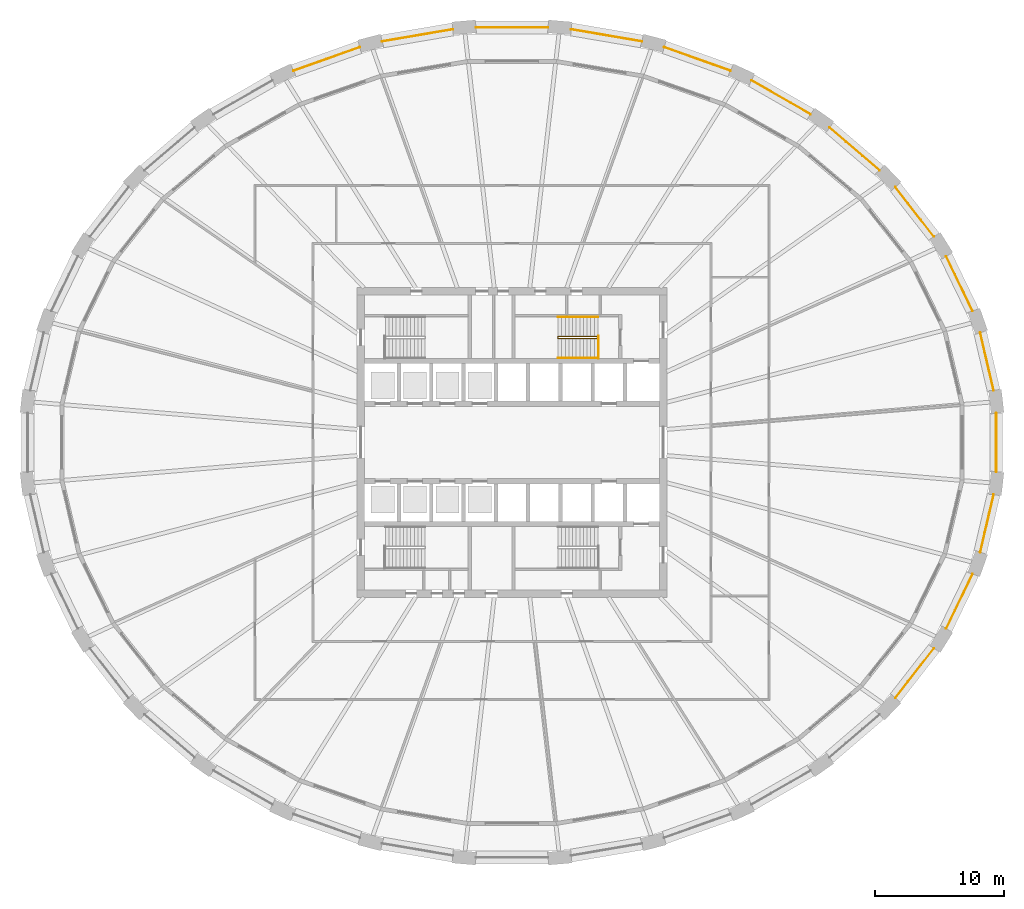
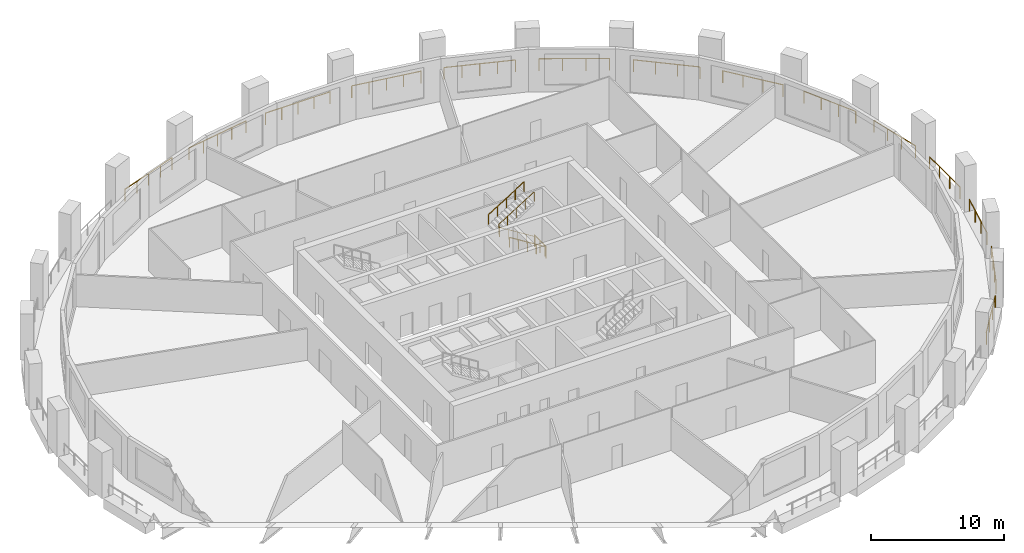
# One storey, part 10 of 11: 18 railings.
"""IFC4 building model written with IfcOpenShell, lengths in metres."""

from ifc_helpers import new_model, si_unit, direction, frame, origin, origin_2d, place, context, subcontext, project, spatial, circle, extrude, material, type_object, element, save


model = new_model("IFC4")

# Units and contexts
model_context = context("Model", 3, precision=1e-05, world=origin(), true_north=direction((0.0, 1.0)))
body_context = subcontext(model_context, "Body", "Model", "MODEL_VIEW")
ifc_project = project(units=[si_unit("LENGTHUNIT", "METRE"), si_unit("AREAUNIT", "SQUARE_METRE"), si_unit("VOLUMEUNIT", "CUBIC_METRE"), si_unit("PLANEANGLEUNIT", "RADIAN"), si_unit("MASSUNIT", "GRAM", prefix="KILO")], contexts=[model_context])

# Site, building, storey
site_placement = place(None, origin())
site = spatial("IfcSite", under=ifc_project, at=site_placement, CompositionType="ELEMENT")
building_placement = place(site_placement, origin())
building = spatial("IfcBuilding", under=site, at=building_placement, Name="Halqa Exchange Tower", CompositionType="ELEMENT")
storey_placement = place(building_placement, frame((0.0, 0.0, 40.300048828125)))
storey = spatial("IfcBuildingStorey", under=building, at=storey_placement, Name="L08", CompositionType="ELEMENT", Elevation=40.300048828125)

# Railings
ifc_material = material(Name="Stainless steel", Category="steel")
railing_type_1 = type_object("IfcRailingType", Name="Guard 1100 stainless steel", PredefinedType="GUARDRAIL", material=ifc_material)
railing_1_placement = place(storey_placement, frame((37.273193359375, 4.04052734375, 0.0)))
element("IfcRailing", 1, at=railing_1_placement, inside=storey, type_object=railing_type_1, Name="Loggia guard 1", PredefinedType="GUARDRAIL", context=body_context, shape_type="SweptSolid", body=[
    extrude(circle(Radius=0.02392578125, at=origin_2d()), frame((0.0, 0.0, 1.076171875), z_axis=(-0.226088077244, 0.974106863403, 0.0), x_axis=(-0.974106863403, -0.226088077244, 0.0)), (0.0, 0.0, 1.0), 4.571044921875),
    extrude(circle(Radius=0.02099609375, at=origin_2d()), origin(), (0.0, 0.0, 1.0), 1.052001953125),
    extrude(circle(Radius=0.02099609375, at=origin_2d()), frame((-0.344482421875, 1.484130859375, 0.0)), (0.0, 0.0, 1.0), 1.052001953125),
    extrude(circle(Radius=0.02099609375, at=origin_2d()), frame((-0.68896484375, 2.968505859375, 0.0)), (0.0, 0.0, 1.0), 1.052001953125),
    extrude(circle(Radius=0.02099609375, at=origin_2d()), frame((-1.033447265625, 4.45263671875, 0.0)), (0.0, 0.0, 1.0), 1.052001953125),
])
railing_2_placement = place(storey_placement, frame((35.644775390625, 10.18017578125, 0.0)))
element("IfcRailing", 2, at=railing_2_placement, inside=storey, type_object=railing_type_1, Name="Loggia guard 2", PredefinedType="GUARDRAIL", context=body_context, shape_type="SweptSolid", body=[
    extrude(circle(Radius=0.02392578125, at=origin_2d()), frame((0.0, 0.0, 1.076171875), z_axis=(-0.435124379728, 0.900370353891, 0.0), x_axis=(-0.900370353891, -0.435124379728, 0.0)), (0.0, 0.0, 1.0), 4.69287109375),
    extrude(circle(Radius=0.02099609375, at=origin_2d()), origin(), (0.0, 0.0, 1.0), 1.052001953125),
    extrude(circle(Radius=0.02099609375, at=origin_2d()), frame((-0.6806640625, 1.408447265625, 0.0)), (0.0, 0.0, 1.0), 1.052001953125),
    extrude(circle(Radius=0.02099609375, at=origin_2d()), frame((-1.361328125, 2.81689453125, 0.0)), (0.0, 0.0, 1.0), 1.052001953125),
    extrude(circle(Radius=0.02099609375, at=origin_2d()), frame((-2.0419921875, 4.225341796875, 0.0)), (0.0, 0.0, 1.0), 1.052001953125),
])
railing_3_placement = place(storey_placement, frame((32.657958984375, 15.925537109375, 0.0)))
element("IfcRailing", 3, at=railing_3_placement, inside=storey, type_object=railing_type_1, Name="Loggia guard 3", PredefinedType="GUARDRAIL", context=body_context, shape_type="SweptSolid", body=[
    extrude(circle(Radius=0.02392578125, at=origin_2d()), frame((0.0, 0.0, 1.076171875), z_axis=(-0.614779979903, 0.788698660016, 0.0), x_axis=(-0.788698660016, -0.614779979903, 0.0)), (0.0, 0.0, 1.0), 4.87109375),
    extrude(circle(Radius=0.02099609375, at=origin_2d()), origin(), (0.0, 0.0, 1.0), 1.052001953125),
    extrude(circle(Radius=0.02099609375, at=origin_2d()), frame((-0.998291015625, 1.280517578125, 0.0)), (0.0, 0.0, 1.0), 1.052001953125),
    extrude(circle(Radius=0.02099609375, at=origin_2d()), frame((-1.996337890625, 2.561279296875, 0.0)), (0.0, 0.0, 1.0), 1.052001953125),
    extrude(circle(Radius=0.02099609375, at=origin_2d()), frame((-2.99462890625, 3.841796875, 0.0)), (0.0, 0.0, 1.0), 1.052001953125),
])
railing_4_placement = place(storey_placement, frame((28.4267578125, 21.062744140625, 0.0)))
element("IfcRailing", 4, at=railing_4_placement, inside=storey, type_object=railing_type_1, Name="Loggia guard 4", PredefinedType="GUARDRAIL", context=body_context, shape_type="SweptSolid", body=[
    extrude(circle(Radius=0.02392578125, at=origin_2d()), frame((0.0, 0.0, 1.076171875), z_axis=(-0.759259997871, 0.650787412012, 0.0), x_axis=(-0.650787412012, -0.759259997871, 0.0)), (0.0, 0.0, 1.0), 5.075439453125),
    extrude(circle(Radius=0.02099609375, at=origin_2d()), origin(), (0.0, 0.0, 1.0), 1.052001953125),
    extrude(circle(Radius=0.02099609375, at=origin_2d()), frame((-1.284423828125, 1.10107421875, 0.0)), (0.0, 0.0, 1.0), 1.052001953125),
    extrude(circle(Radius=0.02099609375, at=origin_2d()), frame((-2.569091796875, 2.201904296875, 0.0)), (0.0, 0.0, 1.0), 1.052001953125),
    extrude(circle(Radius=0.02099609375, at=origin_2d()), frame((-3.853515625, 3.302978515625, 0.0)), (0.0, 0.0, 1.0), 1.052001953125),
])
railing_5_placement = place(storey_placement, frame((23.10888671875, 25.398681640625, 0.0)))
element("IfcRailing", 5, at=railing_5_placement, inside=storey, type_object=railing_type_1, Name="Loggia guard 5", PredefinedType="GUARDRAIL", context=body_context, shape_type="SweptSolid", body=[
    extrude(circle(Radius=0.02392578125, at=origin_2d()), frame((0.0, 0.0, 1.076171875), z_axis=(-0.867761260973, 0.496981281292, 0.0), x_axis=(-0.496981281292, -0.867761260973, 0.0)), (0.0, 0.0, 1.0), 5.2734375),
    extrude(circle(Radius=0.02099609375, at=origin_2d()), origin(), (0.0, 0.0, 1.0), 1.052001953125),
    extrude(circle(Radius=0.02099609375, at=origin_2d()), frame((-1.525390625, 0.87353515625, 0.0)), (0.0, 0.0, 1.0), 1.052001953125),
    extrude(circle(Radius=0.02099609375, at=origin_2d()), frame((-3.05078125, 1.747314453125, 0.0)), (0.0, 0.0, 1.0), 1.052001953125),
    extrude(circle(Radius=0.02099609375, at=origin_2d()), frame((-4.576171875, 2.620849609375, 0.0)), (0.0, 0.0, 1.0), 1.052001953125),
])
railing_6_placement = place(storey_placement, frame((16.90380859375, 28.767822265625, 0.0)))
element("IfcRailing", 6, at=railing_6_placement, inside=storey, type_object=railing_type_1, Name="Loggia guard 6", PredefinedType="GUARDRAIL", context=body_context, shape_type="SweptSolid", body=[
    extrude(circle(Radius=0.02392578125, at=origin_2d()), frame((0.0, 0.0, 1.076171875), z_axis=(-0.942367022026, 0.334580925634, 0.0), x_axis=(-0.334580925634, -0.942367022026, 0.0)), (0.0, 0.0, 1.0), 5.437744140625),
    extrude(circle(Radius=0.02099609375, at=origin_2d()), origin(), (0.0, 0.0, 1.0), 1.052001953125),
    extrude(circle(Radius=0.02099609375, at=origin_2d()), frame((-1.281005859375, 0.454833984375, 0.0)), (0.0, 0.0, 1.0), 1.052001953125),
    extrude(circle(Radius=0.02099609375, at=origin_2d()), frame((-2.56201171875, 0.90966796875, 0.0)), (0.0, 0.0, 1.0), 1.052001953125),
    extrude(circle(Radius=0.02099609375, at=origin_2d()), frame((-3.84326171875, 1.364501953125, 0.0)), (0.0, 0.0, 1.0), 1.052001953125),
    extrude(circle(Radius=0.02099609375, at=origin_2d()), frame((-5.124267578125, 1.8193359375, 0.0)), (0.0, 0.0, 1.0), 1.052001953125),
])
railing_7_placement = place(storey_placement, frame((10.044189453125, 31.03955078125, 0.0)))
element("IfcRailing", 7, at=railing_7_placement, inside=storey, type_object=railing_type_1, Name="Loggia guard 7", PredefinedType="GUARDRAIL", context=body_context, shape_type="SweptSolid", body=[
    extrude(circle(Radius=0.02392578125, at=origin_2d()), frame((0.0, 0.0, 1.076171875), z_axis=(-0.985775416456, 0.168067927667, 0.0), x_axis=(-0.168067927667, -0.985775416456, 0.0)), (0.0, 0.0, 1.0), 5.544677734375),
    extrude(circle(Radius=0.02099609375, at=origin_2d()), origin(), (0.0, 0.0, 1.0), 1.052001953125),
    extrude(circle(Radius=0.02099609375, at=origin_2d()), frame((-1.366455078125, 0.23291015625, 0.0)), (0.0, 0.0, 1.0), 1.052001953125),
    extrude(circle(Radius=0.02099609375, at=origin_2d()), frame((-2.73291015625, 0.4658203125, 0.0)), (0.0, 0.0, 1.0), 1.052001953125),
    extrude(circle(Radius=0.02099609375, at=origin_2d()), frame((-4.099365234375, 0.698974609375, 0.0)), (0.0, 0.0, 1.0), 1.052001953125),
    extrude(circle(Radius=0.02099609375, at=origin_2d()), frame((-5.4658203125, 0.931884765625, 0.0)), (0.0, 0.0, 1.0), 1.052001953125),
])
railing_8_placement = place(storey_placement, frame((2.791015625, 32.122802734375, 0.0)))
element("IfcRailing", 8, at=railing_8_placement, inside=storey, type_object=railing_type_1, Name="Loggia guard 8", PredefinedType="GUARDRAIL", context=body_context, shape_type="SweptSolid", body=[
    extrude(circle(Radius=0.02392578125, at=origin_2d()), frame((0.0, 0.0, 1.076171875), z_axis=(-1.0, 0.0, 0.0), x_axis=(0.0, -1.0, 0.0)), (0.0, 0.0, 1.0), 5.58203125),
    extrude(circle(Radius=0.02099609375, at=origin_2d()), origin(), (0.0, 0.0, 1.0), 1.052001953125),
    extrude(circle(Radius=0.02099609375, at=origin_2d()), frame((-1.3955078125, 0.0, 0.0)), (0.0, 0.0, 1.0), 1.052001953125),
    extrude(circle(Radius=0.02099609375, at=origin_2d()), frame((-2.791015625, 0.0, 0.0)), (0.0, 0.0, 1.0), 1.052001953125),
    extrude(circle(Radius=0.02099609375, at=origin_2d()), frame((-4.1865234375, 0.0, 0.0)), (0.0, 0.0, 1.0), 1.052001953125),
    extrude(circle(Radius=0.02099609375, at=origin_2d()), frame((-5.58203125, 0.0, 0.0)), (0.0, 0.0, 1.0), 1.052001953125),
])
railing_9_placement = place(storey_placement, frame((-4.578369140625, 31.971435546875, 0.0)))
element("IfcRailing", 9, at=railing_9_placement, inside=storey, type_object=railing_type_1, Name="Loggia guard 9", PredefinedType="GUARDRAIL", context=body_context, shape_type="SweptSolid", body=[
    extrude(circle(Radius=0.02392578125, at=origin_2d()), frame((0.0, 0.0, 1.076171875), z_axis=(-0.985775416456, -0.168067927667, 0.0), x_axis=(0.168067927667, -0.985775416456, 0.0)), (0.0, 0.0, 1.0), 5.544677734375),
    extrude(circle(Radius=0.02099609375, at=origin_2d()), origin(), (0.0, 0.0, 1.0), 1.052001953125),
    extrude(circle(Radius=0.02099609375, at=origin_2d()), frame((-1.366455078125, -0.23291015625, 0.0)), (0.0, 0.0, 1.0), 1.052001953125),
    extrude(circle(Radius=0.02099609375, at=origin_2d()), frame((-2.73291015625, -0.4658203125, 0.0)), (0.0, 0.0, 1.0), 1.052001953125),
    extrude(circle(Radius=0.02099609375, at=origin_2d()), frame((-4.099365234375, -0.698974609375, 0.0)), (0.0, 0.0, 1.0), 1.052001953125),
    extrude(circle(Radius=0.02099609375, at=origin_2d()), frame((-5.4658203125, -0.931884765625, 0.0)), (0.0, 0.0, 1.0), 1.052001953125),
])
railing_10_placement = place(storey_placement, frame((-11.779541015625, 30.587158203125, 0.0)))
element("IfcRailing", 10, at=railing_10_placement, inside=storey, type_object=railing_type_1, Name="Loggia guard 10", PredefinedType="GUARDRAIL", context=body_context, shape_type="SweptSolid", body=[
    extrude(circle(Radius=0.02392578125, at=origin_2d()), frame((0.0, 0.0, 1.076171875), z_axis=(-0.942367022026, -0.334580925634, 0.0), x_axis=(0.334580925634, -0.942367022026, 0.0)), (0.0, 0.0, 1.0), 5.437744140625),
    extrude(circle(Radius=0.02099609375, at=origin_2d()), origin(), (0.0, 0.0, 1.0), 1.052001953125),
    extrude(circle(Radius=0.02099609375, at=origin_2d()), frame((-1.281005859375, -0.454833984375, 0.0)), (0.0, 0.0, 1.0), 1.052001953125),
    extrude(circle(Radius=0.02099609375, at=origin_2d()), frame((-2.56201171875, -0.90966796875, 0.0)), (0.0, 0.0, 1.0), 1.052001953125),
    extrude(circle(Radius=0.02099609375, at=origin_2d()), frame((-3.84326171875, -1.364501953125, 0.0)), (0.0, 0.0, 1.0), 1.052001953125),
    extrude(circle(Radius=0.02099609375, at=origin_2d()), frame((-5.124267578125, -1.8193359375, 0.0)), (0.0, 0.0, 1.0), 1.052001953125),
])
railing_11_placement = place(storey_placement, frame((29.663330078125, -19.767333984375, 0.0)))
element("IfcRailing", 11, at=railing_11_placement, inside=storey, type_object=railing_type_1, Name="Loggia guard 29", PredefinedType="GUARDRAIL", context=body_context, shape_type="SweptSolid", body=[
    extrude(circle(Radius=0.02392578125, at=origin_2d()), frame((0.0, 0.0, 1.076171875), z_axis=(0.614779979903, 0.788698660016, 0.0), x_axis=(-0.788698660016, 0.614779979903, 0.0)), (0.0, 0.0, 1.0), 4.87109375),
    extrude(circle(Radius=0.02099609375, at=origin_2d()), origin(), (0.0, 0.0, 1.0), 1.052001953125),
    extrude(circle(Radius=0.02099609375, at=origin_2d()), frame((0.998291015625, 1.280517578125, 0.0)), (0.0, 0.0, 1.0), 1.052001953125),
    extrude(circle(Radius=0.02099609375, at=origin_2d()), frame((1.996337890625, 2.561279296875, 0.0)), (0.0, 0.0, 1.0), 1.052001953125),
    extrude(circle(Radius=0.02099609375, at=origin_2d()), frame((2.99462890625, 3.841796875, 0.0)), (0.0, 0.0, 1.0), 1.052001953125),
])
railing_12_placement = place(storey_placement, frame((33.602783203125, -14.405517578125, 0.0)))
element("IfcRailing", 12, at=railing_12_placement, inside=storey, type_object=railing_type_1, Name="Loggia guard 30", PredefinedType="GUARDRAIL", context=body_context, shape_type="SweptSolid", body=[
    extrude(circle(Radius=0.02392578125, at=origin_2d()), frame((0.0, 0.0, 1.076171875), z_axis=(0.435124379728, 0.900370353891, 0.0), x_axis=(-0.900370353891, 0.435124379728, 0.0)), (0.0, 0.0, 1.0), 4.69287109375),
    extrude(circle(Radius=0.02099609375, at=origin_2d()), origin(), (0.0, 0.0, 1.0), 1.052001953125),
    extrude(circle(Radius=0.02099609375, at=origin_2d()), frame((0.6806640625, 1.408447265625, 0.0)), (0.0, 0.0, 1.0), 1.052001953125),
    extrude(circle(Radius=0.02099609375, at=origin_2d()), frame((1.361328125, 2.81689453125, 0.0)), (0.0, 0.0, 1.0), 1.052001953125),
    extrude(circle(Radius=0.02099609375, at=origin_2d()), frame((2.0419921875, 4.225341796875, 0.0)), (0.0, 0.0, 1.0), 1.052001953125),
])
railing_13_placement = place(storey_placement, frame((36.23974609375, -8.4931640625, 0.0)))
element("IfcRailing", 13, at=railing_13_placement, inside=storey, type_object=railing_type_1, Name="Loggia guard 31", PredefinedType="GUARDRAIL", context=body_context, shape_type="SweptSolid", body=[
    extrude(circle(Radius=0.02392578125, at=origin_2d()), frame((0.0, 0.0, 1.076171875), z_axis=(0.226088077244, 0.974106863403, 0.0), x_axis=(-0.974106863403, 0.226088077244, 0.0)), (0.0, 0.0, 1.0), 4.571044921875),
    extrude(circle(Radius=0.02099609375, at=origin_2d()), origin(), (0.0, 0.0, 1.0), 1.052001953125),
    extrude(circle(Radius=0.02099609375, at=origin_2d()), frame((0.344482421875, 1.484130859375, 0.0)), (0.0, 0.0, 1.0), 1.052001953125),
    extrude(circle(Radius=0.02099609375, at=origin_2d()), frame((0.68896484375, 2.968505859375, 0.0)), (0.0, 0.0, 1.0), 1.052001953125),
    extrude(circle(Radius=0.02099609375, at=origin_2d()), frame((1.033447265625, 4.45263671875, 0.0)), (0.0, 0.0, 1.0), 1.052001953125),
])
railing_14_placement = place(storey_placement, frame((37.4765625, -2.263916015625, 0.0)))
element("IfcRailing", 14, at=railing_14_placement, inside=storey, type_object=railing_type_1, Name="Loggia guard 32", PredefinedType="GUARDRAIL", context=body_context, shape_type="SweptSolid", body=[
    extrude(circle(Radius=0.02392578125, at=origin_2d()), frame((0.0, 0.0, 1.076171875), z_axis=(0.0, 1.0, 0.0), x_axis=(-1.0, 0.0, 0.0)), (0.0, 0.0, 1.0), 4.52783203125),
    extrude(circle(Radius=0.02099609375, at=origin_2d()), origin(), (0.0, 0.0, 1.0), 1.052001953125),
    extrude(circle(Radius=0.02099609375, at=origin_2d()), frame((0.0, 1.50927734375, 0.0)), (0.0, 0.0, 1.0), 1.052001953125),
    extrude(circle(Radius=0.02099609375, at=origin_2d()), frame((0.0, 3.0185546875, 0.0)), (0.0, 0.0, 1.0), 1.052001953125),
    extrude(circle(Radius=0.02099609375, at=origin_2d()), frame((0.0, 4.52783203125, 0.0)), (0.0, 0.0, 1.0), 1.052001953125),
])
railing_type_2 = type_object("IfcRailingType", Name="Stair handrail 900", PredefinedType="HANDRAIL", material=ifc_material)
railing_15_placement = place(storey_placement, frame((6.64990234375, 8.06005859375, 0.175048828125)))
element("IfcRailing", 15, at=railing_15_placement, inside=storey, type_object=railing_type_2, Name="Handrail ST2.1", PredefinedType="HANDRAIL", context=body_context, shape_type="SweptSolid", body=[
    extrude(circle(Radius=0.02392578125, at=origin_2d()), frame((0.0, 0.0, 0.8759765625), z_axis=(-0.848009633417, 0.0, 0.529980812513), x_axis=(0.0, -1.0, 0.0)), (0.0, 0.0, 1.0), 3.6318359375),
    extrude(circle(Radius=0.02392578125, at=origin_2d()), frame((-3.079833984375, 0.0, 2.80078125), z_axis=(0.0, 0.595870227118, 0.803080738428), x_axis=(-1.0, 0.0, 0.0)), (0.0, 0.0, 1.0), 0.218017578125),
    extrude(circle(Radius=0.02392578125, at=origin_2d()), frame((-3.079833984375, 0.1298828125, 2.9755859375), z_axis=(0.847979421464, 0.0, 0.530029150871), x_axis=(0.0, 1.0, 0.0)), (0.0, 0.0, 1.0), 3.632080078125),
    extrude(circle(Radius=0.02099609375, at=origin_2d()), origin(), (0.0, 0.0, 1.0), 0.851806640625),
    extrude(circle(Radius=0.02099609375, at=origin_2d()), frame((-0.77001953125, 0.0, 0.481201171875)), (0.0, 0.0, 1.0), 0.851806640625),
    extrude(circle(Radius=0.02099609375, at=origin_2d()), frame((-1.5400390625, 0.0, 0.96240234375)), (0.0, 0.0, 1.0), 0.851806640625),
    extrude(circle(Radius=0.02099609375, at=origin_2d()), frame((-2.309814453125, 0.0, 1.443603515625)), (0.0, 0.0, 1.0), 0.851806640625),
    extrude(circle(Radius=0.02099609375, at=origin_2d()), frame((-3.079833984375, 0.0, 1.9248046875)), (0.0, 0.0, 1.0), 0.851806640625),
    extrude(circle(Radius=0.02099609375, at=origin_2d()), frame((-3.079833984375, 0.1298828125, 2.099853515625)), (0.0, 0.0, 1.0), 0.851806640625),
    extrude(circle(Radius=0.02099609375, at=origin_2d()), frame((-2.309814453125, 0.1298828125, 2.5810546875)), (0.0, 0.0, 1.0), 0.851806640625),
    extrude(circle(Radius=0.02099609375, at=origin_2d()), frame((-1.5400390625, 0.1298828125, 3.0625)), (0.0, 0.0, 1.0), 0.851806640625),
    extrude(circle(Radius=0.02099609375, at=origin_2d()), frame((-0.77001953125, 0.1298828125, 3.543701171875)), (0.0, 0.0, 1.0), 0.851806640625),
    extrude(circle(Radius=0.02099609375, at=origin_2d()), frame((0.0, 0.1298828125, 4.02490234375)), (0.0, 0.0, 1.0), 0.851806640625),
])
railing_16_placement = place(storey_placement, frame((6.64990234375, 6.550048828125, 0.175048828125)))
element("IfcRailing", 16, at=railing_16_placement, inside=storey, type_object=railing_type_2, Name="Handrail ST2.2", PredefinedType="HANDRAIL", context=body_context, shape_type="SweptSolid", body=[
    extrude(circle(Radius=0.02392578125, at=origin_2d()), frame((0.0, 0.0, 0.8759765625), z_axis=(-0.848009633417, 0.0, 0.529980812513), x_axis=(0.0, -1.0, 0.0)), (0.0, 0.0, 1.0), 3.6318359375),
    extrude(circle(Radius=0.02099609375, at=origin_2d()), origin(), (0.0, 0.0, 1.0), 0.851806640625),
    extrude(circle(Radius=0.02099609375, at=origin_2d()), frame((-0.77001953125, 0.0, 0.481201171875)), (0.0, 0.0, 1.0), 0.851806640625),
    extrude(circle(Radius=0.02099609375, at=origin_2d()), frame((-1.5400390625, 0.0, 0.96240234375)), (0.0, 0.0, 1.0), 0.851806640625),
    extrude(circle(Radius=0.02099609375, at=origin_2d()), frame((-2.309814453125, 0.0, 1.443603515625)), (0.0, 0.0, 1.0), 0.851806640625),
    extrude(circle(Radius=0.02099609375, at=origin_2d()), frame((-3.079833984375, 0.0, 1.9248046875)), (0.0, 0.0, 1.0), 0.851806640625),
])
railing_17_placement = place(storey_placement, frame((3.570068359375, 9.699951171875, 2.27490234375)))
element("IfcRailing", 17, at=railing_17_placement, inside=storey, type_object=railing_type_2, Name="Handrail ST2.3", PredefinedType="HANDRAIL", context=body_context, shape_type="SweptSolid", body=[
    extrude(circle(Radius=0.02392578125, at=origin_2d()), frame((0.0, 0.0, 0.8759765625), z_axis=(0.847979421464, 0.0, 0.530029150871), x_axis=(0.0, 1.0, 0.0)), (0.0, 0.0, 1.0), 3.632080078125),
    extrude(circle(Radius=0.02099609375, at=origin_2d()), origin(), (0.0, 0.0, 1.0), 0.851806640625),
    extrude(circle(Radius=0.02099609375, at=origin_2d()), frame((0.77001953125, 0.0, 0.481201171875)), (0.0, 0.0, 1.0), 0.851806640625),
    extrude(circle(Radius=0.02099609375, at=origin_2d()), frame((1.5400390625, 0.0, 0.96240234375)), (0.0, 0.0, 1.0), 0.851806640625),
    extrude(circle(Radius=0.02099609375, at=origin_2d()), frame((2.309814453125, 0.0, 1.44384765625)), (0.0, 0.0, 1.0), 0.851806640625),
    extrude(circle(Radius=0.02099609375, at=origin_2d()), frame((3.079833984375, 0.0, 1.925048828125)), (0.0, 0.0, 1.0), 0.851806640625),
])
railing_type_3 = type_object("IfcRailingType", Name="Stair well guard 1100", PredefinedType="GUARDRAIL", material=ifc_material)
railing_18_placement = place(storey_placement, frame((6.699951171875, 6.5, 0.0)))
element("IfcRailing", 18, at=railing_18_placement, inside=storey, type_object=railing_type_3, Name="Guard ST2 well", PredefinedType="GUARDRAIL", context=body_context, shape_type="SweptSolid", body=[
    extrude(circle(Radius=0.02392578125, at=origin_2d()), frame((0.0, 0.0, 1.076171875), z_axis=(0.0, 1.0, 0.0), x_axis=(-1.0, 0.0, 0.0)), (0.0, 0.0, 1.0), 1.75),
    extrude(circle(Radius=0.02099609375, at=origin_2d()), origin(), (0.0, 0.0, 1.0), 1.052001953125),
    extrude(circle(Radius=0.02099609375, at=origin_2d()), frame((0.0, 0.875, 0.0)), (0.0, 0.0, 1.0), 1.052001953125),
    extrude(circle(Radius=0.02099609375, at=origin_2d()), frame((0.0, 1.75, 0.0)), (0.0, 0.0, 1.0), 1.052001953125),
])

save(model, "model.ifc")
